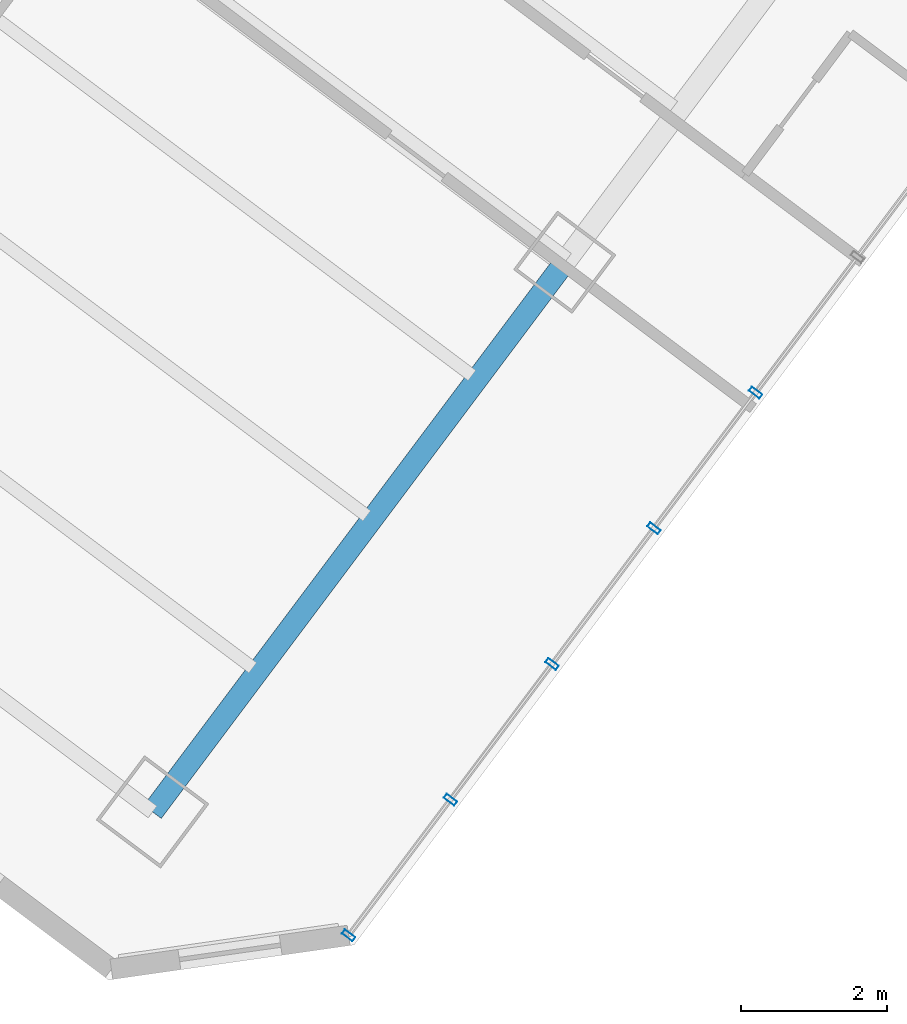
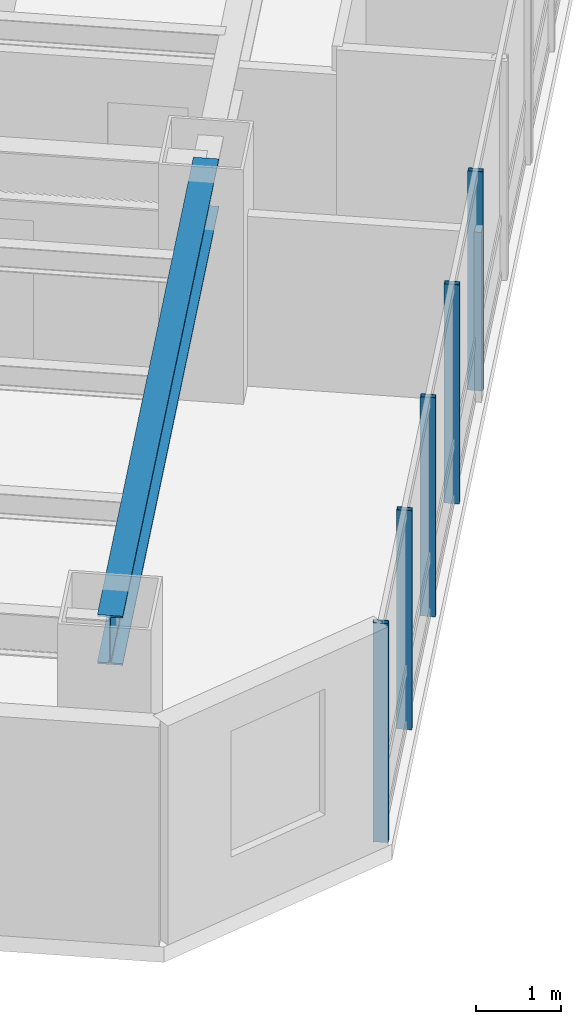
# One storey, part 8 of 33: 5 members, 1 beam, 1 element without a shape of its own.
"""IFC4 building model written with IfcOpenShell, lengths in metres."""

from ifc_helpers import new_model, si_unit, direction, frame, origin, origin_2d, place, context, subcontext, project, spatial, hollow_rectangle, i_section, extrude, material, layer, layer_set, material_profile, profile_set, type_object, element, aggregate, save


model = new_model("IFC4")

# Units and contexts
model_context = context("Model", 3, precision=1e-05, world=origin(), true_north=direction((0.0, 1.0)))
body_context = subcontext(model_context, "Body", "Model", "MODEL_VIEW")
ifc_project = project(units=[si_unit("LENGTHUNIT", "METRE"), si_unit("AREAUNIT", "SQUARE_METRE"), si_unit("VOLUMEUNIT", "CUBIC_METRE"), si_unit("PLANEANGLEUNIT", "RADIAN"), si_unit("MASSUNIT", "GRAM", prefix="KILO")], contexts=[model_context])

# Site, building, storey
site_placement = place(None, origin())
site = spatial("IfcSite", under=ifc_project, at=site_placement, CompositionType="ELEMENT")
building_placement = place(site_placement, origin())
building = spatial("IfcBuilding", under=site, at=building_placement, Name="Hatsunagi Terrace Concourse", CompositionType="ELEMENT")
storey_placement = place(building_placement, frame((0.0, 0.0, 53.35009765625)))
storey = spatial("IfcBuildingStorey", under=building, at=storey_placement, Name="L13", CompositionType="ELEMENT", Elevation=53.35009765625)

# Curtain wall, members
ifc_material_1 = material(Name="Anodised Aluminium Alloy 6063-T5", Category="aluminium")
ifc_layer = layer(ifc_material_1, 0.199951171875)
ifc_layer_set = layer_set([ifc_layer], Name="HotelFacade_CW02")
curtain_wall_type = type_object("IfcCurtainWallType", Name="HotelFacade_CW02", PredefinedType="NOTDEFINED", material=ifc_layer_set)
curtain_wall_placement = place(storey_placement, origin())
curtain_wall = element("IfcCurtainWall", 1, at=curtain_wall_placement, inside=storey, type_object=curtain_wall_type, Name="Unitised Curtain Wall CW-02 CW-L13-03", PredefinedType="NOTDEFINED")
ifc_material_2 = material(Name="Anodised Aluminium Alloy 6063-T5", Category="aluminium")
ifc_material_profile_1 = material_profile(ifc_material_2, hollow_rectangle(XDim=0.070068359375, YDim=0.179931640625, WallThickness=0.00390625, at=origin_2d()), Name="ALU-MUL-180x70x4")
ifc_profile_set_1 = profile_set([ifc_material_profile_1], Name="Anodised Aluminium Alloy 6063-T5")
member_type = type_object("IfcMemberType", Name="CurtainWallMullion_180x70", PredefinedType="MULLION", material=ifc_profile_set_1)
member_1_placement = place(storey_placement, frame((62.132080078125, 10.3759765625, 0.0), z_axis=(0.0, 0.0, 1.0), x_axis=(-0.599969314634, -0.800023013105, 0.0)))
member_1 = element("IfcMember", 2, at=member_1_placement, type_object=member_type, Name="Curtain Wall Mullion MUL-02", PredefinedType="MULLION", context=body_context, shape_type="SweptSolid", body=[
    extrude(hollow_rectangle(XDim=0.070068359375, YDim=0.179931640625, WallThickness=0.00390625, at=origin_2d()), origin(), (0.0, 0.0, 1.0), 3.1298828125),
])
member_2_placement = place(storey_placement, frame((60.739990234375, 8.51904296875, 0.0), z_axis=(0.0, 0.0, 1.0), x_axis=(-0.599969314634, -0.800023013105, 0.0)))
member_2 = element("IfcMember", 3, at=member_2_placement, type_object=member_type, Name="Curtain Wall Mullion MUL-02", PredefinedType="MULLION", context=body_context, shape_type="SweptSolid", body=[
    extrude(hollow_rectangle(XDim=0.070068359375, YDim=0.179931640625, WallThickness=0.00390625, at=origin_2d()), origin(), (0.0, 0.0, 1.0), 3.1298828125),
])
member_3_placement = place(storey_placement, frame((59.346923828125, 6.6630859375, 0.0), z_axis=(0.0, 0.0, 1.0), x_axis=(-0.599969314634, -0.800023013105, 0.0)))
member_3 = element("IfcMember", 4, at=member_3_placement, type_object=member_type, Name="Curtain Wall Mullion MUL-02", PredefinedType="MULLION", context=body_context, shape_type="SweptSolid", body=[
    extrude(hollow_rectangle(XDim=0.070068359375, YDim=0.179931640625, WallThickness=0.00390625, at=origin_2d()), origin(), (0.0, 0.0, 1.0), 3.1298828125),
])
member_4_placement = place(storey_placement, frame((57.955078125, 4.805908203125, 0.0), z_axis=(0.0, 0.0, 1.0), x_axis=(-0.599969314634, -0.800023013105, 0.0)))
member_4 = element("IfcMember", 5, at=member_4_placement, type_object=member_type, Name="Curtain Wall Mullion MUL-02", PredefinedType="MULLION", context=body_context, shape_type="SweptSolid", body=[
    extrude(hollow_rectangle(XDim=0.070068359375, YDim=0.179931640625, WallThickness=0.00390625, at=origin_2d()), origin(), (0.0, 0.0, 1.0), 3.1298828125),
])
member_5_placement = place(storey_placement, frame((56.56298828125, 2.949951171875, 0.0), z_axis=(0.0, 0.0, 1.0), x_axis=(-0.599969314634, -0.800023013105, 0.0)))
member_5 = element("IfcMember", 6, at=member_5_placement, type_object=member_type, Name="Curtain Wall Mullion MUL-02", PredefinedType="MULLION", context=body_context, shape_type="SweptSolid", body=[
    extrude(hollow_rectangle(XDim=0.070068359375, YDim=0.179931640625, WallThickness=0.00390625, at=origin_2d()), origin(), (0.0, 0.0, 1.0), 3.1298828125),
])
aggregate(curtain_wall, [member_1, member_2, member_3, member_4, member_5])

# Beam
ifc_material_3 = material(Name="Steel SN490B", Category="steel")
ifc_material_profile_2 = material_profile(ifc_material_3, i_section(OverallWidth=0.300048828125, OverallDepth=0.699951171875, WebThickness=0.012939453125, FlangeThickness=0.02392578125, FilletRadius=0.02197265625, at=origin_2d()), Name="H-700x300x13x24")
ifc_profile_set_2 = profile_set([ifc_material_profile_2], Name="Steel SN490B")
beam_type = type_object("IfcBeamType", Name="HotelFloorGirder_H_700x300", PredefinedType="BEAM", material=ifc_profile_set_2)
beam_placement = place(storey_placement, frame((53.8798828125, 4.639892578125, 2.77978515625), z_axis=(0.600008311051, 0.799993766644, 0.0), x_axis=(-0.799993766644, 0.600008311051, 0.0)))
element("IfcBeam", 7, at=beam_placement, inside=storey, type_object=beam_type, Name="Beam G-04 BM-L13-SET-3A", PredefinedType="BEAM", context=body_context, shape_type="SweptSolid", body=[
    extrude(i_section(OverallWidth=0.300048828125, OverallDepth=0.699951171875, WebThickness=0.012939453125, FlangeThickness=0.02392578125, FilletRadius=0.02197265625, at=origin_2d()), origin(), (0.0, 0.0, 1.0), 9.400146484375),
])

save(model, "model.ifc")
